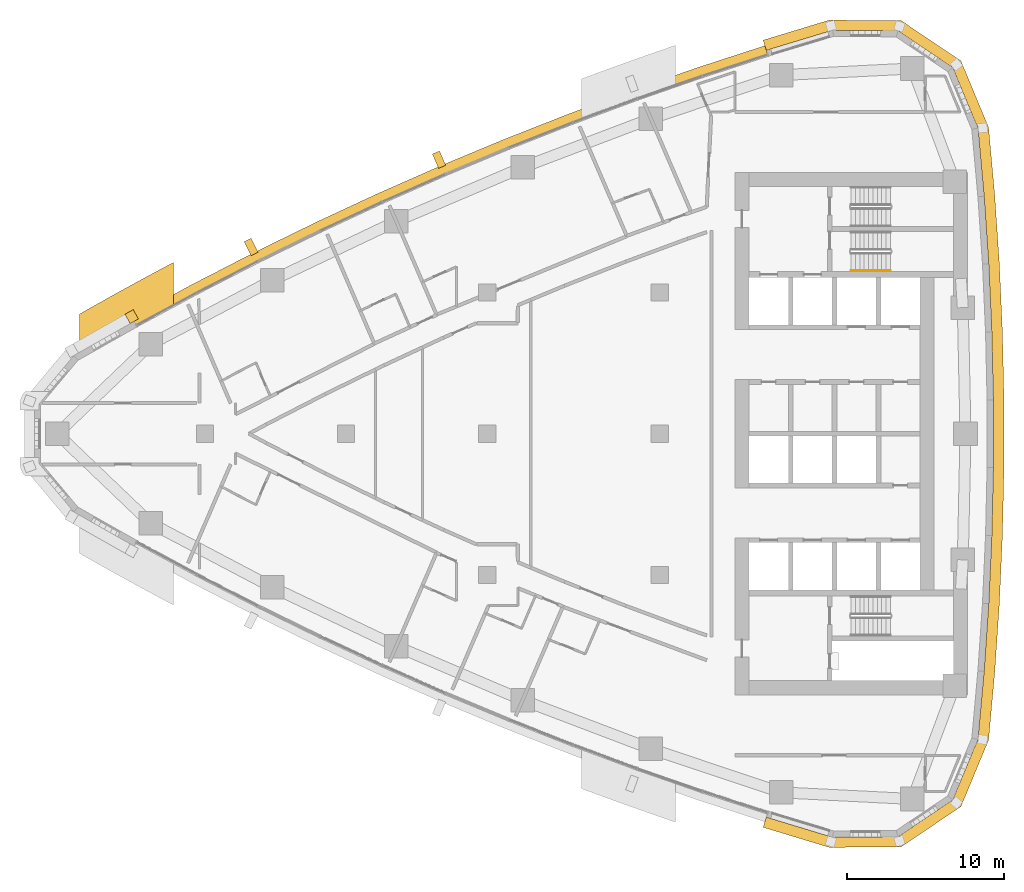
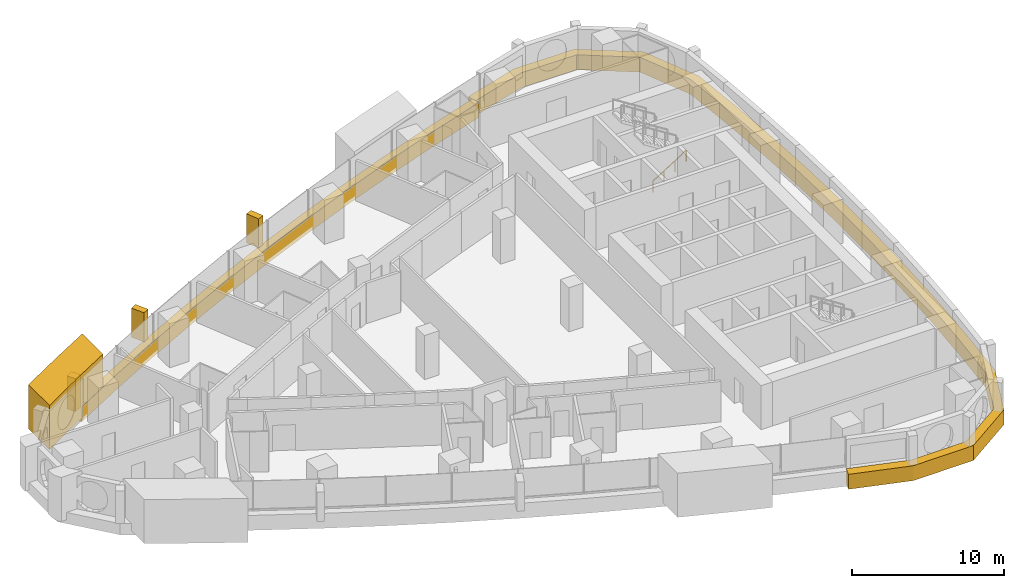
# One storey, part 15 of 16: 6 coverings, 1 railing.
"""IFC4 building model written with IfcOpenShell, lengths in metres."""

from ifc_helpers import new_model, si_unit, direction, frame, frame_2d, origin, origin_2d, place, context, subcontext, project, spatial, polyline, rectangle, circle, outline, extrude, material, layer, layer_set, type_object, element, save


model = new_model("IFC4")

# Units and contexts
model_context = context("Model", 3, precision=1e-05, world=origin(), true_north=direction((0.0, 1.0)))
body_context = subcontext(model_context, "Body", "Model", "MODEL_VIEW")
ifc_project = project(units=[si_unit("LENGTHUNIT", "METRE"), si_unit("AREAUNIT", "SQUARE_METRE"), si_unit("VOLUMEUNIT", "CUBIC_METRE"), si_unit("PLANEANGLEUNIT", "RADIAN"), si_unit("MASSUNIT", "GRAM", prefix="KILO")], contexts=[model_context])

# Site, building, storey
site_placement = place(None, origin())
site = spatial("IfcSite", under=ifc_project, at=site_placement, CompositionType="ELEMENT")
building_placement = place(site_placement, origin())
building = spatial("IfcBuilding", under=site, at=building_placement, Name="Ostrand Prow Hotel Tower", CompositionType="ELEMENT")
storey_placement = place(building_placement, frame((0.0, 0.0, 147.949951171875)))
storey = spatial("IfcBuildingStorey", under=building, at=storey_placement, Name="L36", CompositionType="ELEMENT", Elevation=147.949951171875)

# Coverings
ifc_material_1 = material(Name="Bronze anodised aluminium cladding", Category="aluminium")
ifc_layer_1 = layer(ifc_material_1, 0.60009765625)
ifc_layer_set_1 = layer_set([ifc_layer_1], Name="Bronze anodised aluminium cladding")
covering_type_1 = type_object("IfcCoveringType", Name="Bronze spandrel band 1200x600", PredefinedType="CLADDING", material=ifc_layer_set_1)
covering_1_placement = place(storey_placement, frame((0.0, 0.0, -0.300048828125)))
element("IfcCovering", 1, at=covering_1_placement, inside=storey, type_object=covering_type_1, Name="Spandrel band N1", PredefinedType="CLADDING", context=body_context, shape_type="SweptSolid", body=[
    extrude(outline(polyline([(51.705322265625, 24.74560546875), (47.522705078125, 23.385009765625), (43.368408203125, 21.9404296875), (39.243896484375, 20.41259765625), (35.15087890625, 18.80224609375), (31.091064453125, 17.110107421875), (27.06591796875, 15.336669921875), (23.077392578125, 13.482666015625), (19.126953125, 11.548828125), (15.21630859375, 9.535888671875), (11.3466796875, 7.445068359375), (11.63720703125, 6.920166015625), (15.49609375, 9.00537109375), (19.396240234375, 11.0126953125), (23.335693359375, 12.941162109375), (27.3134765625, 14.7900390625), (31.327392578125, 16.55859375), (35.376220703125, 18.24609375), (39.457763671875, 19.85205078125), (43.571044921875, 21.375732421875), (47.714111328125, 22.81640625), (51.88525390625, 24.17333984375), (51.705322265625, 24.74560546875)])), origin(), (0.0, 0.0, 1.0), 1.2001953125),
])
covering_2_placement = place(storey_placement, frame((0.0, 0.0, -0.300048828125)))
element("IfcCovering", 2, at=covering_2_placement, inside=storey, type_object=covering_type_1, Name="Spandrel band back 1", PredefinedType="CLADDING", context=body_context, shape_type="SweptSolid", body=[
    extrude(outline(polyline([(51.594970703125, -25.0966796875), (55.811279296875, -26.375244140625), (60.402099609375, -26.339111328125), (64.211181640625, -23.77587890625), (65.973388671875, -19.53662109375), (66.3662109375, -15.205322265625), (66.66064453125, -10.86669921875), (66.857177734375, -6.522216796875), (66.95556640625, -2.17431640625), (66.95556640625, 2.17431640625), (66.857177734375, 6.522216796875), (66.66064453125, 10.86669921875), (66.3662109375, 15.205322265625), (65.973388671875, 19.53662109375), (64.211181640625, 23.77587890625), (60.402099609375, 26.339111328125), (55.811279296875, 26.375244140625), (51.594970703125, 25.0966796875), (51.798828125, 24.447998046875), (56.001953125, 25.722412109375), (60.201171875, 25.689697265625), (63.68505859375, 23.34521484375), (65.296875, 19.467529296875), (65.688232421875, 15.151611328125), (65.981689453125, 10.828125), (66.177490234375, 6.4990234375), (66.275634765625, 2.166748046875), (66.275634765625, -2.166748046875), (66.177490234375, -6.4990234375), (65.981689453125, -10.828125), (65.688232421875, -15.151611328125), (65.296875, -19.467529296875), (63.68505859375, -23.34521484375), (60.201171875, -25.689697265625), (56.001953125, -25.722412109375), (51.798828125, -24.447998046875), (51.594970703125, -25.0966796875)])), origin(), (0.0, 0.0, 1.0), 1.2001953125),
])
ifc_material_2 = material(Name="Limestone cladding", Category="masonry")
ifc_layer_2 = layer(ifc_material_2, 5.0)
ifc_layer_set_2 = layer_set([ifc_layer_2], Name="Limestone cladding")
covering_type_2 = type_object("IfcCoveringType", Name="Portal jamb pilaster limestone", PredefinedType="CLADDING", material=ifc_layer_set_2)
covering_3_placement = place(storey_placement, origin())
element("IfcCovering", 3, at=covering_3_placement, inside=storey, type_object=covering_type_2, Name="Portal jamb NA L36", PredefinedType="CLADDING", context=body_context, shape_type="SweptSolid", body=[
    extrude(outline(polyline([(8.0, 4.861572265625), (9.0, 5.436767578125), (10.0, 6.0048828125), (11.0, 6.566162109375), (12.0, 7.12060546875), (13.0, 7.66796875), (14.0, 8.208740234375), (14.0, 10.92919921875), (13.0, 10.39599609375), (12.0, 9.856201171875), (11.0, 9.3095703125), (10.0, 8.75634765625), (9.0, 8.1962890625), (8.0, 7.62939453125), (8.0, 4.861572265625)])), origin(), (0.0, 0.0, 1.0), 3.550048828125),
])
ifc_material_3 = material(Name="Limestone cladding", Category="masonry")
ifc_layer_3 = layer(ifc_material_3, 0.5)
ifc_layer_set_3 = layer_set([ifc_layer_3], Name="Limestone cladding")
covering_type_3 = type_object("IfcCoveringType", Name="Precast stone fin 500x900", PredefinedType="CLADDING", material=ifc_layer_set_3)
covering_4_placement = place(storey_placement, frame((31.13037109375, 17.018310546875, 0.900146484375), z_axis=(0.0, 0.0, 1.0), x_axis=(-0.394096106618, 0.919069235013, 0.0)))
element("IfcCovering", 4, at=covering_4_placement, inside=storey, type_object=covering_type_3, Name="Stone fin N 6", PredefinedType="CLADDING", context=body_context, shape_type="SweptSolid", body=[
    extrude(rectangle(XDim=0.999755859375, YDim=0.5, at=frame_2d((0.5, 0.0))), origin(), (0.0, 0.0, 1.0), 2.349853515625),
])
covering_5_placement = place(storey_placement, frame((19.171875, 11.45947265625, 0.900146484375), z_axis=(0.0, 0.0, 1.0), x_axis=(-0.448677667264, 0.893693656069, 0.0)))
element("IfcCovering", 5, at=covering_5_placement, inside=storey, type_object=covering_type_3, Name="Stone fin N 9", PredefinedType="CLADDING", context=body_context, shape_type="SweptSolid", body=[
    extrude(rectangle(XDim=1.0, YDim=0.5, at=frame_2d((0.5, 0.0))), origin(), (0.0, 0.0, 1.0), 2.349853515625),
])
ifc_material_4 = material(Name="Limestone cladding", Category="masonry")
ifc_layer_4 = layer(ifc_material_4, 0.60009765625)
ifc_layer_set_4 = layer_set([ifc_layer_4], Name="Limestone cladding")
covering_type_4 = type_object("IfcCoveringType", Name="Precast stone prow rib 600x600", PredefinedType="CLADDING", material=ifc_layer_set_4)
covering_6_placement = place(storey_placement, frame((11.497802734375, 7.171875, 0.60009765625), z_axis=(0.0, 0.0, 1.0), x_axis=(-0.484301161624, 0.874901357211, 0.0)))
element("IfcCovering", 6, at=covering_6_placement, inside=storey, type_object=covering_type_4, Name="Stone prow rib 1", PredefinedType="CLADDING", context=body_context, shape_type="SweptSolid", body=[
    extrude(rectangle(XDim=0.679931640625, YDim=0.60009765625, at=frame_2d((0.33984375, 0.0))), origin(), (0.0, 0.0, 1.0), 2.64990234375),
])

# Railing
ifc_material_5 = material(Name="Stainless steel", Category="steel")
railing_type = type_object("IfcRailingType", Name="Stair handrail 900", PredefinedType="HANDRAIL", material=ifc_material_5)
railing_placement = place(storey_placement, frame((57.199951171875, 10.39990234375, 0.177490234375)))
element("IfcRailing", 7, at=railing_placement, inside=storey, type_object=railing_type, Name="L36 ST1C stair handrail 1", PredefinedType="HANDRAIL", context=body_context, shape_type="SweptSolid", body=[
    extrude(circle(Radius=0.02392578125, at=origin_2d()), frame((0.0, 0.0, 0.8759765625), z_axis=(0.84456994832, 0.0, 0.535445237532), x_axis=(0.0, 1.0, 0.0)), (0.0, 0.0, 1.0), 2.98388671875),
    extrude(circle(Radius=0.02099609375, at=origin_2d()), origin(), (0.0, 0.0, 1.0), 0.851806640625),
    extrude(circle(Radius=0.02099609375, at=origin_2d()), frame((0.840087890625, 0.0, 0.532470703125)), (0.0, 0.0, 1.0), 0.851806640625),
    extrude(circle(Radius=0.02099609375, at=origin_2d()), frame((1.679931640625, 0.0, 1.065185546875)), (0.0, 0.0, 1.0), 0.851806640625),
    extrude(circle(Radius=0.02099609375, at=origin_2d()), frame((2.52001953125, 0.0, 1.59765625)), (0.0, 0.0, 1.0), 0.851806640625),
])

save(model, "model.ifc")
